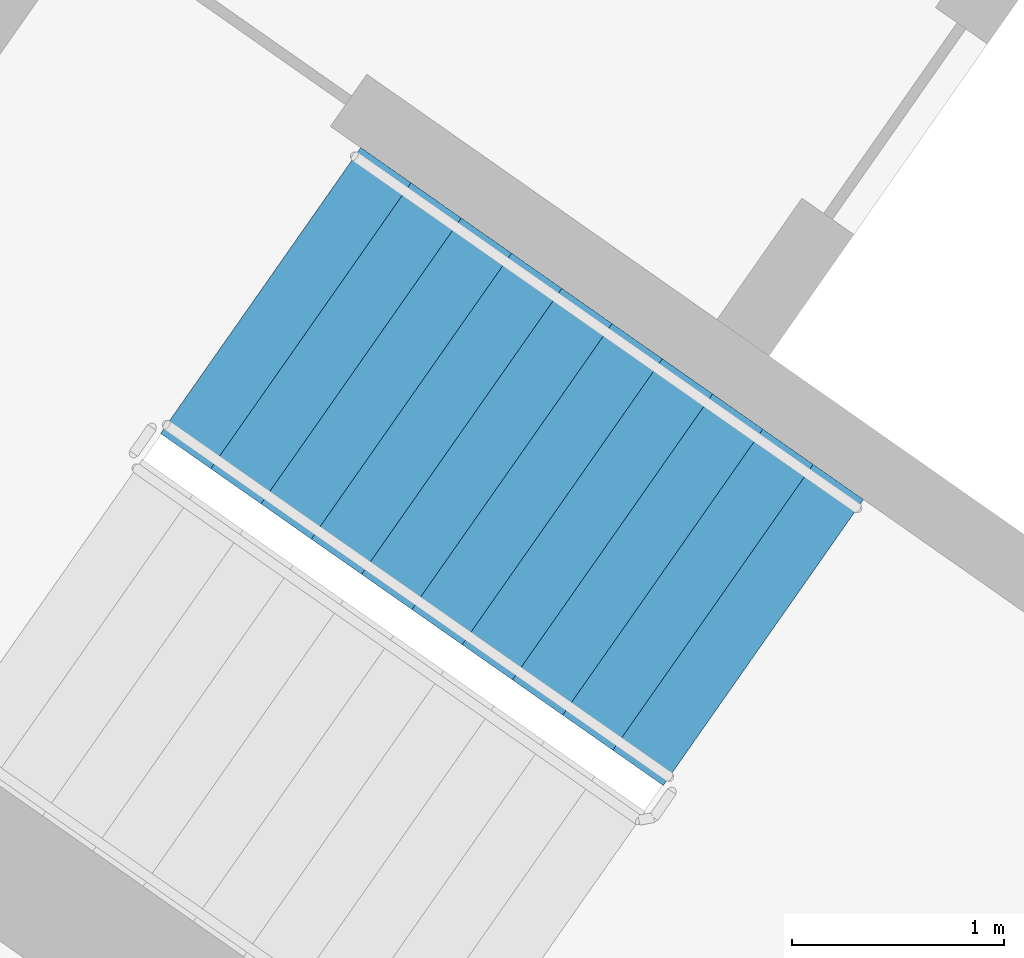
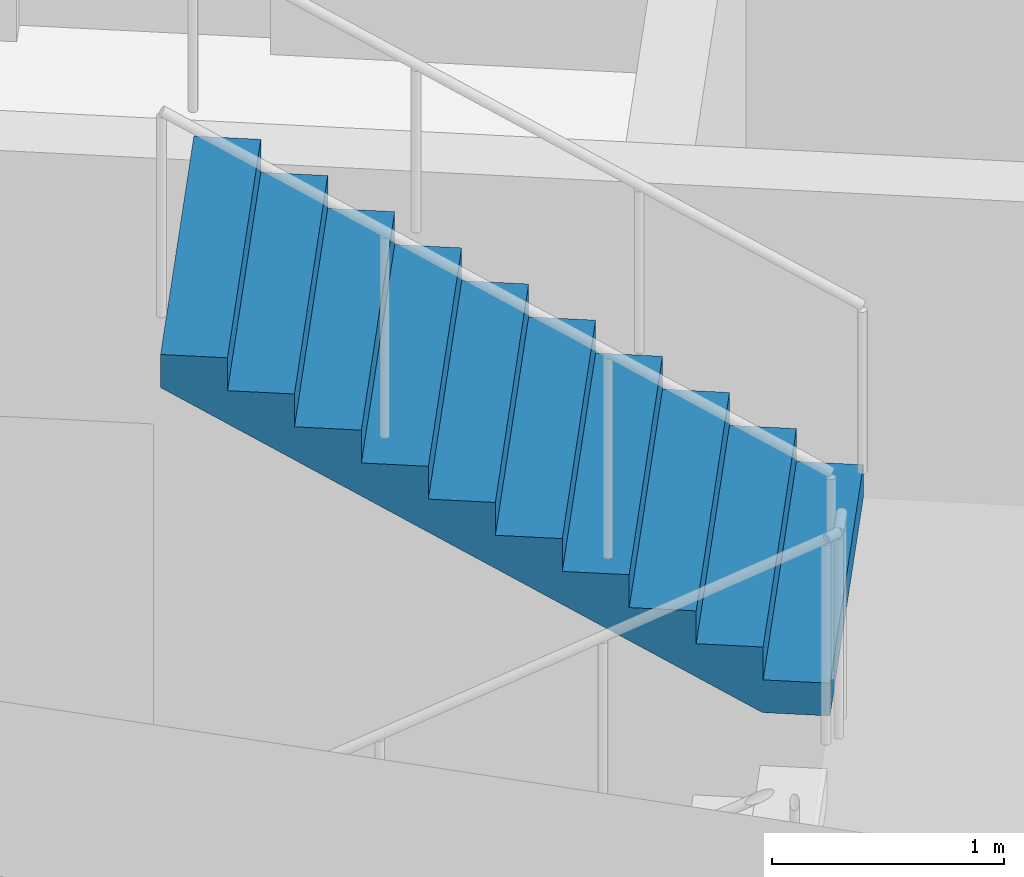
# One storey, part 9 of 30: 1 stair flight, 1 element without a shape of its own.
"""IFC4 building model written with IfcOpenShell, lengths in metres."""

from ifc_helpers import new_model, si_unit, direction, frame, origin, place, context, subcontext, project, spatial, faceted_brep, material, type_object, element, aggregate, save


model = new_model("IFC4")

# Units and contexts
model_context = context("Model", 3, precision=1e-05, world=origin(), true_north=direction((0.0, 1.0)))
body_context = subcontext(model_context, "Body", "Model", "MODEL_VIEW")
ifc_project = project(units=[si_unit("LENGTHUNIT", "METRE"), si_unit("AREAUNIT", "SQUARE_METRE"), si_unit("VOLUMEUNIT", "CUBIC_METRE"), si_unit("PLANEANGLEUNIT", "RADIAN"), si_unit("MASSUNIT", "GRAM", prefix="KILO")], contexts=[model_context])

# Site, building, storey
site_placement = place(None, origin())
site = spatial("IfcSite", under=ifc_project, at=site_placement, CompositionType="ELEMENT")
building_placement = place(site_placement, origin())
building = spatial("IfcBuilding", under=site, at=building_placement, Name="Qamariyya Broadcast Tower", CompositionType="ELEMENT")
storey_placement = place(building_placement, frame((0.0, 0.0, 203.699951171875)))
storey = spatial("IfcBuildingStorey", under=building, at=storey_placement, Name="L48", CompositionType="ELEMENT", Elevation=203.699951171875)

# Stair, stair flight
ifc_material = material(Name="Concrete C50/60", Category="concrete")
stair_type = type_object("IfcStairType", Name="Exit stair 22 risers of 173 mm", PredefinedType="HALF_TURN_STAIR", material=ifc_material)
stair_placement = place(storey_placement, origin())
stair = element("IfcStair", 1, at=stair_placement, inside=storey, type_object=stair_type, Name="L48 Stair W1", PredefinedType="HALF_TURN_STAIR")
stair_flight_type = type_object("IfcStairFlightType", Name="Exit stair flight 11 risers of 173 mm", PredefinedType="STRAIGHT", material=ifc_material)
stair_flight_placement = place(storey_placement, frame((-43.660888671875, -57.17138671875, 1.900146484375), z_axis=(0.0, 0.0, 1.0), x_axis=(-0.819152044289, 0.573576436351, 0.0)))
stair_flight = element("IfcStairFlight", 2, at=stair_flight_placement, type_object=stair_flight_type, Name="ST-W1 flight 2", NumberOfRisers=11, NumberOfTreads=10, PredefinedType="STRAIGHT", RiserHeight=0.172727273, TreadLength=0.29, context=body_context, shape_type="Brep", body=[
    faceted_brep([(0.0, 0.824951171875, 0.0), (0.0, 0.824951171875, 0.172607421875), (0.2900390625, 0.824951171875, 0.172607421875), (0.2900390625, 0.824951171875, 0.345458984375), (0.580078125, 0.824951171875, 0.345458984375), (0.580078125, 0.824951171875, 0.51806640625), (0.8701171875, 0.824951171875, 0.51806640625), (0.8701171875, 0.824951171875, 0.69091796875), (1.159912109375, 0.824951171875, 0.69091796875), (1.159912109375, 0.824951171875, 0.863525390625), (1.449951171875, 0.824951171875, 0.863525390625), (1.449951171875, 0.824951171875, 1.036376953125), (1.739990234375, 0.824951171875, 1.036376953125), (1.739990234375, 0.824951171875, 1.208984375), (2.030029296875, 0.824951171875, 1.208984375), (2.030029296875, 0.824951171875, 1.3818359375), (2.320068359375, 0.824951171875, 1.3818359375), (2.320068359375, 0.824951171875, 1.554443359375), (2.610107421875, 0.824951171875, 1.554443359375), (2.610107421875, 0.824951171875, 1.727294921875), (2.89990234375, 0.824951171875, 1.727294921875), (2.89990234375, 0.824951171875, 1.552734375), (0.29296875, 0.824951171875, 0.0), (0.29296875, -0.824951171875, 0.0), (2.89990234375, -0.824951171875, 1.552734375), (2.89990234375, -0.824951171875, 1.727294921875), (2.610107421875, -0.824951171875, 1.727294921875), (2.610107421875, -0.824951171875, 1.554443359375), (2.320068359375, -0.824951171875, 1.554443359375), (2.320068359375, -0.824951171875, 1.3818359375), (2.030029296875, -0.824951171875, 1.3818359375), (2.030029296875, -0.824951171875, 1.208984375), (1.739990234375, -0.824951171875, 1.208984375), (1.739990234375, -0.824951171875, 1.036376953125), (1.449951171875, -0.824951171875, 1.036376953125), (1.449951171875, -0.824951171875, 0.863525390625), (1.159912109375, -0.824951171875, 0.863525390625), (1.159912109375, -0.824951171875, 0.69091796875), (0.8701171875, -0.824951171875, 0.69091796875), (0.8701171875, -0.824951171875, 0.51806640625), (0.580078125, -0.824951171875, 0.51806640625), (0.580078125, -0.824951171875, 0.345458984375), (0.2900390625, -0.824951171875, 0.345458984375), (0.2900390625, -0.824951171875, 0.172607421875), (0.0, -0.824951171875, 0.172607421875), (0.0, -0.824951171875, 0.0), (0.0, 0.10009765625, 0.0), (0.0, 0.086669921875, 0.0), (0.0, 0.0732421875, 0.0), (0.0, 0.06005859375, 0.0), (0.0, 0.046630859375, 0.0), (0.0, 0.033447265625, 0.0), (0.0, 0.02001953125, 0.0), (0.0, 0.006591796875, 0.0), (0.0, -0.006591796875, 0.0), (0.0, -0.02001953125, 0.0), (0.0, -0.033447265625, 0.0), (0.0, -0.046630859375, 0.0), (0.0, -0.06005859375, 0.0), (0.0, -0.0732421875, 0.0), (0.0, -0.086669921875, 0.0), (0.0, -0.10009765625, 0.0), (0.0, -0.10009765625, 0.172607421875), (0.0, -0.086669921875, 0.172607421875), (0.0, -0.0732421875, 0.172607421875), (0.0, -0.06005859375, 0.172607421875), (0.0, -0.046630859375, 0.172607421875), (0.0, -0.033447265625, 0.172607421875), (0.0, -0.02001953125, 0.172607421875), (0.0, -0.006591796875, 0.172607421875), (0.0, 0.006591796875, 0.172607421875), (0.0, 0.02001953125, 0.172607421875), (0.0, 0.033447265625, 0.172607421875), (0.0, 0.046630859375, 0.172607421875), (0.0, 0.06005859375, 0.172607421875), (0.0, 0.0732421875, 0.172607421875), (0.0, 0.086669921875, 0.172607421875), (0.0, 0.10009765625, 0.172607421875), (0.2900390625, -0.10009765625, 0.172607421875), (0.2900390625, -0.086669921875, 0.172607421875), (0.2900390625, -0.0732421875, 0.172607421875), (0.2900390625, -0.06005859375, 0.172607421875), (0.2900390625, -0.046630859375, 0.172607421875), (0.2900390625, -0.033447265625, 0.172607421875), (0.2900390625, -0.02001953125, 0.172607421875), (0.2900390625, -0.006591796875, 0.172607421875), (0.2900390625, 0.006591796875, 0.172607421875), (0.2900390625, 0.02001953125, 0.172607421875), (0.2900390625, 0.033447265625, 0.172607421875), (0.2900390625, 0.046630859375, 0.172607421875), (0.2900390625, 0.06005859375, 0.172607421875), (0.2900390625, 0.0732421875, 0.172607421875), (0.2900390625, 0.086669921875, 0.172607421875), (0.2900390625, 0.10009765625, 0.172607421875), (0.2900390625, -0.10009765625, 0.345458984375), (0.2900390625, -0.086669921875, 0.345458984375), (0.2900390625, -0.0732421875, 0.345458984375), (0.2900390625, -0.06005859375, 0.345458984375), (0.2900390625, -0.046630859375, 0.345458984375), (0.2900390625, -0.033447265625, 0.345458984375), (0.2900390625, -0.02001953125, 0.345458984375), (0.2900390625, -0.006591796875, 0.345458984375), (0.2900390625, 0.006591796875, 0.345458984375), (0.2900390625, 0.02001953125, 0.345458984375), (0.2900390625, 0.033447265625, 0.345458984375), (0.2900390625, 0.046630859375, 0.345458984375), (0.2900390625, 0.06005859375, 0.345458984375), (0.2900390625, 0.0732421875, 0.345458984375), (0.2900390625, 0.086669921875, 0.345458984375), (0.2900390625, 0.10009765625, 0.345458984375), (0.580078125, -0.10009765625, 0.345458984375), (0.580078125, -0.086669921875, 0.345458984375), (0.580078125, -0.0732421875, 0.345458984375), (0.580078125, -0.06005859375, 0.345458984375), (0.580078125, -0.046630859375, 0.345458984375), (0.580078125, -0.033447265625, 0.345458984375), (0.580078125, -0.02001953125, 0.345458984375), (0.580078125, -0.006591796875, 0.345458984375), (0.580078125, 0.006591796875, 0.345458984375), (0.580078125, 0.02001953125, 0.345458984375), (0.580078125, 0.033447265625, 0.345458984375), (0.580078125, 0.046630859375, 0.345458984375), (0.580078125, 0.06005859375, 0.345458984375), (0.580078125, 0.0732421875, 0.345458984375), (0.580078125, 0.086669921875, 0.345458984375), (0.580078125, 0.10009765625, 0.345458984375), (0.580078125, -0.10009765625, 0.51806640625), (0.580078125, -0.086669921875, 0.51806640625), (0.580078125, -0.0732421875, 0.51806640625), (0.580078125, -0.06005859375, 0.51806640625), (0.580078125, -0.046630859375, 0.51806640625), (0.580078125, -0.033447265625, 0.51806640625), (0.580078125, -0.02001953125, 0.51806640625), (0.580078125, -0.006591796875, 0.51806640625), (0.580078125, 0.006591796875, 0.51806640625), (0.580078125, 0.02001953125, 0.51806640625), (0.580078125, 0.033447265625, 0.51806640625), (0.580078125, 0.046630859375, 0.51806640625), (0.580078125, 0.06005859375, 0.51806640625), (0.580078125, 0.0732421875, 0.51806640625), (0.580078125, 0.086669921875, 0.51806640625), (0.580078125, 0.10009765625, 0.51806640625), (0.8701171875, -0.10009765625, 0.51806640625), (0.8701171875, -0.086669921875, 0.51806640625), (0.8701171875, -0.0732421875, 0.51806640625), (0.8701171875, -0.06005859375, 0.51806640625), (0.8701171875, -0.046630859375, 0.51806640625), (0.8701171875, -0.033447265625, 0.51806640625), (0.8701171875, -0.02001953125, 0.51806640625), (0.8701171875, -0.006591796875, 0.51806640625), (0.8701171875, 0.006591796875, 0.51806640625), (0.8701171875, 0.02001953125, 0.51806640625), (0.8701171875, 0.033447265625, 0.51806640625), (0.8701171875, 0.046630859375, 0.51806640625), (0.8701171875, 0.06005859375, 0.51806640625), (0.8701171875, 0.0732421875, 0.51806640625), (0.8701171875, 0.086669921875, 0.51806640625), (0.8701171875, 0.10009765625, 0.51806640625), (0.8701171875, -0.10009765625, 0.69091796875), (0.8701171875, -0.086669921875, 0.69091796875), (0.8701171875, -0.0732421875, 0.69091796875), (0.8701171875, -0.06005859375, 0.69091796875), (0.8701171875, -0.046630859375, 0.69091796875), (0.8701171875, -0.033447265625, 0.69091796875), (0.8701171875, -0.02001953125, 0.69091796875), (0.8701171875, -0.006591796875, 0.69091796875), (0.8701171875, 0.006591796875, 0.69091796875), (0.8701171875, 0.02001953125, 0.69091796875), (0.8701171875, 0.033447265625, 0.69091796875), (0.8701171875, 0.046630859375, 0.69091796875), (0.8701171875, 0.06005859375, 0.69091796875), (0.8701171875, 0.0732421875, 0.69091796875), (0.8701171875, 0.086669921875, 0.69091796875), (0.8701171875, 0.10009765625, 0.69091796875), (1.159912109375, -0.10009765625, 0.69091796875), (1.159912109375, -0.086669921875, 0.69091796875), (1.159912109375, -0.0732421875, 0.69091796875), (1.159912109375, -0.06005859375, 0.69091796875), (1.159912109375, -0.046630859375, 0.69091796875), (1.159912109375, -0.033447265625, 0.69091796875), (1.159912109375, -0.02001953125, 0.69091796875), (1.159912109375, -0.006591796875, 0.69091796875), (1.159912109375, 0.006591796875, 0.69091796875), (1.159912109375, 0.02001953125, 0.69091796875), (1.159912109375, 0.033447265625, 0.69091796875), (1.159912109375, 0.046630859375, 0.69091796875), (1.159912109375, 0.06005859375, 0.69091796875), (1.159912109375, 0.0732421875, 0.69091796875), (1.159912109375, 0.086669921875, 0.69091796875), (1.159912109375, 0.10009765625, 0.69091796875), (1.159912109375, -0.10009765625, 0.863525390625), (1.159912109375, -0.086669921875, 0.863525390625), (1.159912109375, -0.0732421875, 0.863525390625), (1.159912109375, -0.06005859375, 0.863525390625), (1.159912109375, -0.046630859375, 0.863525390625), (1.159912109375, -0.033447265625, 0.863525390625), (1.159912109375, -0.02001953125, 0.863525390625), (1.159912109375, -0.006591796875, 0.863525390625), (1.159912109375, 0.006591796875, 0.863525390625), (1.159912109375, 0.02001953125, 0.863525390625), (1.159912109375, 0.033447265625, 0.863525390625), (1.159912109375, 0.046630859375, 0.863525390625), (1.159912109375, 0.06005859375, 0.863525390625), (1.159912109375, 0.0732421875, 0.863525390625), (1.159912109375, 0.086669921875, 0.863525390625), (1.159912109375, 0.10009765625, 0.863525390625), (1.449951171875, -0.10009765625, 0.863525390625), (1.449951171875, -0.086669921875, 0.863525390625), (1.449951171875, -0.0732421875, 0.863525390625), (1.449951171875, -0.06005859375, 0.863525390625), (1.449951171875, -0.046630859375, 0.863525390625), (1.449951171875, -0.033447265625, 0.863525390625), (1.449951171875, -0.02001953125, 0.863525390625), (1.449951171875, -0.006591796875, 0.863525390625), (1.449951171875, 0.006591796875, 0.863525390625), (1.449951171875, 0.02001953125, 0.863525390625), (1.449951171875, 0.033447265625, 0.863525390625), (1.449951171875, 0.046630859375, 0.863525390625), (1.449951171875, 0.06005859375, 0.863525390625), (1.449951171875, 0.0732421875, 0.863525390625), (1.449951171875, 0.086669921875, 0.863525390625), (1.449951171875, 0.10009765625, 0.863525390625), (1.449951171875, -0.10009765625, 1.036376953125), (1.449951171875, -0.086669921875, 1.036376953125), (1.449951171875, -0.0732421875, 1.036376953125), (1.449951171875, -0.06005859375, 1.036376953125), (1.449951171875, -0.046630859375, 1.036376953125), (1.449951171875, -0.033447265625, 1.036376953125), (1.449951171875, -0.02001953125, 1.036376953125), (1.449951171875, -0.006591796875, 1.036376953125), (1.449951171875, 0.006591796875, 1.036376953125), (1.449951171875, 0.02001953125, 1.036376953125), (1.449951171875, 0.033447265625, 1.036376953125), (1.449951171875, 0.046630859375, 1.036376953125), (1.449951171875, 0.06005859375, 1.036376953125), (1.449951171875, 0.0732421875, 1.036376953125), (1.449951171875, 0.086669921875, 1.036376953125), (1.449951171875, 0.10009765625, 1.036376953125), (1.739990234375, -0.10009765625, 1.036376953125), (1.739990234375, -0.086669921875, 1.036376953125), (1.739990234375, -0.0732421875, 1.036376953125), (1.739990234375, -0.06005859375, 1.036376953125), (1.739990234375, -0.046630859375, 1.036376953125), (1.739990234375, -0.033447265625, 1.036376953125), (1.739990234375, -0.02001953125, 1.036376953125), (1.739990234375, -0.006591796875, 1.036376953125), (1.739990234375, 0.006591796875, 1.036376953125), (1.739990234375, 0.02001953125, 1.036376953125), (1.739990234375, 0.033447265625, 1.036376953125), (1.739990234375, 0.046630859375, 1.036376953125), (1.739990234375, 0.06005859375, 1.036376953125), (1.739990234375, 0.0732421875, 1.036376953125), (1.739990234375, 0.086669921875, 1.036376953125), (1.739990234375, 0.10009765625, 1.036376953125), (1.739990234375, -0.10009765625, 1.208984375), (1.739990234375, -0.086669921875, 1.208984375), (1.739990234375, -0.0732421875, 1.208984375), (1.739990234375, -0.06005859375, 1.208984375), (1.739990234375, -0.046630859375, 1.208984375), (1.739990234375, -0.033447265625, 1.208984375), (1.739990234375, -0.02001953125, 1.208984375), (1.739990234375, -0.006591796875, 1.208984375), (1.739990234375, 0.006591796875, 1.208984375), (1.739990234375, 0.02001953125, 1.208984375), (1.739990234375, 0.033447265625, 1.208984375), (1.739990234375, 0.046630859375, 1.208984375), (1.739990234375, 0.06005859375, 1.208984375), (1.739990234375, 0.0732421875, 1.208984375), (1.739990234375, 0.086669921875, 1.208984375), (1.739990234375, 0.10009765625, 1.208984375), (2.030029296875, -0.10009765625, 1.208984375), (2.030029296875, -0.086669921875, 1.208984375), (2.030029296875, -0.0732421875, 1.208984375), (2.030029296875, -0.06005859375, 1.208984375), (2.030029296875, -0.046630859375, 1.208984375), (2.030029296875, -0.033447265625, 1.208984375), (2.030029296875, -0.02001953125, 1.208984375), (2.030029296875, -0.006591796875, 1.208984375), (2.030029296875, 0.006591796875, 1.208984375), (2.030029296875, 0.02001953125, 1.208984375), (2.030029296875, 0.033447265625, 1.208984375), (2.030029296875, 0.046630859375, 1.208984375), (2.030029296875, 0.06005859375, 1.208984375), (2.030029296875, 0.0732421875, 1.208984375), (2.030029296875, 0.086669921875, 1.208984375), (2.030029296875, 0.10009765625, 1.208984375), (2.030029296875, -0.10009765625, 1.3818359375), (2.030029296875, -0.086669921875, 1.3818359375), (2.030029296875, -0.0732421875, 1.3818359375), (2.030029296875, -0.06005859375, 1.3818359375), (2.030029296875, -0.046630859375, 1.3818359375), (2.030029296875, -0.033447265625, 1.3818359375), (2.030029296875, -0.02001953125, 1.3818359375), (2.030029296875, -0.006591796875, 1.3818359375), (2.030029296875, 0.006591796875, 1.3818359375), (2.030029296875, 0.02001953125, 1.3818359375), (2.030029296875, 0.033447265625, 1.3818359375), (2.030029296875, 0.046630859375, 1.3818359375), (2.030029296875, 0.06005859375, 1.3818359375), (2.030029296875, 0.0732421875, 1.3818359375), (2.030029296875, 0.086669921875, 1.3818359375), (2.030029296875, 0.10009765625, 1.3818359375), (2.320068359375, -0.10009765625, 1.3818359375), (2.320068359375, -0.086669921875, 1.3818359375), (2.320068359375, -0.0732421875, 1.3818359375), (2.320068359375, -0.06005859375, 1.3818359375), (2.320068359375, -0.046630859375, 1.3818359375), (2.320068359375, -0.033447265625, 1.3818359375), (2.320068359375, -0.02001953125, 1.3818359375), (2.320068359375, -0.006591796875, 1.3818359375), (2.320068359375, 0.006591796875, 1.3818359375), (2.320068359375, 0.02001953125, 1.3818359375), (2.320068359375, 0.033447265625, 1.3818359375), (2.320068359375, 0.046630859375, 1.3818359375), (2.320068359375, 0.06005859375, 1.3818359375), (2.320068359375, 0.0732421875, 1.3818359375), (2.320068359375, 0.086669921875, 1.3818359375), (2.320068359375, 0.10009765625, 1.3818359375), (2.320068359375, -0.10009765625, 1.554443359375), (2.320068359375, -0.086669921875, 1.554443359375), (2.320068359375, -0.0732421875, 1.554443359375), (2.320068359375, -0.06005859375, 1.554443359375), (2.320068359375, -0.046630859375, 1.554443359375), (2.320068359375, -0.033447265625, 1.554443359375), (2.320068359375, -0.02001953125, 1.554443359375), (2.320068359375, -0.006591796875, 1.554443359375), (2.320068359375, 0.006591796875, 1.554443359375), (2.320068359375, 0.02001953125, 1.554443359375), (2.320068359375, 0.033447265625, 1.554443359375), (2.320068359375, 0.046630859375, 1.554443359375), (2.320068359375, 0.06005859375, 1.554443359375), (2.320068359375, 0.0732421875, 1.554443359375), (2.320068359375, 0.086669921875, 1.554443359375), (2.320068359375, 0.10009765625, 1.554443359375), (2.610107421875, -0.10009765625, 1.554443359375), (2.610107421875, -0.086669921875, 1.554443359375), (2.610107421875, -0.0732421875, 1.554443359375), (2.610107421875, -0.06005859375, 1.554443359375), (2.610107421875, -0.046630859375, 1.554443359375), (2.610107421875, -0.033447265625, 1.554443359375), (2.610107421875, -0.02001953125, 1.554443359375), (2.610107421875, -0.006591796875, 1.554443359375), (2.610107421875, 0.006591796875, 1.554443359375), (2.610107421875, 0.02001953125, 1.554443359375), (2.610107421875, 0.033447265625, 1.554443359375), (2.610107421875, 0.046630859375, 1.554443359375), (2.610107421875, 0.06005859375, 1.554443359375), (2.610107421875, 0.0732421875, 1.554443359375), (2.610107421875, 0.086669921875, 1.554443359375), (2.610107421875, 0.10009765625, 1.554443359375), (2.610107421875, -0.10009765625, 1.727294921875), (2.610107421875, -0.086669921875, 1.727294921875), (2.610107421875, -0.0732421875, 1.727294921875), (2.610107421875, -0.06005859375, 1.727294921875), (2.610107421875, -0.046630859375, 1.727294921875), (2.610107421875, -0.033447265625, 1.727294921875), (2.610107421875, -0.02001953125, 1.727294921875), (2.610107421875, -0.006591796875, 1.727294921875), (2.610107421875, 0.006591796875, 1.727294921875), (2.610107421875, 0.02001953125, 1.727294921875), (2.610107421875, 0.033447265625, 1.727294921875), (2.610107421875, 0.046630859375, 1.727294921875), (2.610107421875, 0.06005859375, 1.727294921875), (2.610107421875, 0.0732421875, 1.727294921875), (2.610107421875, 0.086669921875, 1.727294921875), (2.610107421875, 0.10009765625, 1.727294921875), (2.89990234375, -0.10009765625, 1.727294921875), (2.89990234375, -0.086669921875, 1.727294921875), (2.89990234375, -0.0732421875, 1.727294921875), (2.89990234375, -0.06005859375, 1.727294921875), (2.89990234375, -0.046630859375, 1.727294921875), (2.89990234375, -0.033447265625, 1.727294921875), (2.89990234375, -0.02001953125, 1.727294921875), (2.89990234375, -0.006591796875, 1.727294921875), (2.89990234375, 0.006591796875, 1.727294921875), (2.89990234375, 0.02001953125, 1.727294921875), (2.89990234375, 0.033447265625, 1.727294921875), (2.89990234375, 0.046630859375, 1.727294921875), (2.89990234375, 0.06005859375, 1.727294921875), (2.89990234375, 0.0732421875, 1.727294921875), (2.89990234375, 0.086669921875, 1.727294921875), (2.89990234375, 0.10009765625, 1.727294921875), (2.89990234375, -0.10009765625, 1.552734375), (2.89990234375, -0.086669921875, 1.552734375), (2.89990234375, -0.0732421875, 1.552734375), (2.89990234375, -0.06005859375, 1.552734375), (2.89990234375, -0.046630859375, 1.552734375), (2.89990234375, -0.033447265625, 1.552734375), (2.89990234375, -0.02001953125, 1.552734375), (2.89990234375, -0.006591796875, 1.552734375), (2.89990234375, 0.006591796875, 1.552734375), (2.89990234375, 0.02001953125, 1.552734375), (2.89990234375, 0.033447265625, 1.552734375), (2.89990234375, 0.046630859375, 1.552734375), (2.89990234375, 0.06005859375, 1.552734375), (2.89990234375, 0.0732421875, 1.552734375), (2.89990234375, 0.086669921875, 1.552734375), (2.89990234375, 0.10009765625, 1.552734375), (0.29296875, -0.10009765625, 0.0), (0.29296875, -0.086669921875, 0.0), (0.29296875, -0.0732421875, 0.0), (0.29296875, -0.06005859375, 0.0), (0.29296875, -0.046630859375, 0.0), (0.29296875, -0.033447265625, 0.0), (0.29296875, -0.02001953125, 0.0), (0.29296875, -0.006591796875, 0.0), (0.29296875, 0.006591796875, 0.0), (0.29296875, 0.02001953125, 0.0), (0.29296875, 0.033447265625, 0.0), (0.29296875, 0.046630859375, 0.0), (0.29296875, 0.06005859375, 0.0), (0.29296875, 0.0732421875, 0.0), (0.29296875, 0.086669921875, 0.0), (0.29296875, 0.10009765625, 0.0)], [[[0, 1, 2, 3, 4, 5, 6, 7, 8, 9, 10, 11, 12, 13, 14, 15, 16, 17, 18, 19, 20, 21, 22]], [[23, 24, 25, 26, 27, 28, 29, 30, 31, 32, 33, 34, 35, 36, 37, 38, 39, 40, 41, 42, 43, 44, 45]], [[0, 46, 47, 48, 49, 50, 51, 52, 53, 54, 55, 56, 57, 58, 59, 60, 61, 45, 44, 62, 63, 64, 65, 66, 67, 68, 69, 70, 71, 72, 73, 74, 75, 76, 77, 1]], [[1, 77, 76, 75, 74, 73, 72, 71, 70, 69, 68, 67, 66, 65, 64, 63, 62, 44, 43, 78, 79, 80, 81, 82, 83, 84, 85, 86, 87, 88, 89, 90, 91, 92, 93, 2]], [[2, 93, 92, 91, 90, 89, 88, 87, 86, 85, 84, 83, 82, 81, 80, 79, 78, 43, 42, 94, 95, 96, 97, 98, 99, 100, 101, 102, 103, 104, 105, 106, 107, 108, 109, 3]], [[3, 109, 108, 107, 106, 105, 104, 103, 102, 101, 100, 99, 98, 97, 96, 95, 94, 42, 41, 110, 111, 112, 113, 114, 115, 116, 117, 118, 119, 120, 121, 122, 123, 124, 125, 4]], [[4, 125, 124, 123, 122, 121, 120, 119, 118, 117, 116, 115, 114, 113, 112, 111, 110, 41, 40, 126, 127, 128, 129, 130, 131, 132, 133, 134, 135, 136, 137, 138, 139, 140, 141, 5]], [[5, 141, 140, 139, 138, 137, 136, 135, 134, 133, 132, 131, 130, 129, 128, 127, 126, 40, 39, 142, 143, 144, 145, 146, 147, 148, 149, 150, 151, 152, 153, 154, 155, 156, 157, 6]], [[6, 157, 156, 155, 154, 153, 152, 151, 150, 149, 148, 147, 146, 145, 144, 143, 142, 39, 38, 158, 159, 160, 161, 162, 163, 164, 165, 166, 167, 168, 169, 170, 171, 172, 173, 7]], [[7, 173, 172, 171, 170, 169, 168, 167, 166, 165, 164, 163, 162, 161, 160, 159, 158, 38, 37, 174, 175, 176, 177, 178, 179, 180, 181, 182, 183, 184, 185, 186, 187, 188, 189, 8]], [[8, 189, 188, 187, 186, 185, 184, 183, 182, 181, 180, 179, 178, 177, 176, 175, 174, 37, 36, 190, 191, 192, 193, 194, 195, 196, 197, 198, 199, 200, 201, 202, 203, 204, 205, 9]], [[9, 205, 204, 203, 202, 201, 200, 199, 198, 197, 196, 195, 194, 193, 192, 191, 190, 36, 35, 206, 207, 208, 209, 210, 211, 212, 213, 214, 215, 216, 217, 218, 219, 220, 221, 10]], [[10, 221, 220, 219, 218, 217, 216, 215, 214, 213, 212, 211, 210, 209, 208, 207, 206, 35, 34, 222, 223, 224, 225, 226, 227, 228, 229, 230, 231, 232, 233, 234, 235, 236, 237, 11]], [[11, 237, 236, 235, 234, 233, 232, 231, 230, 229, 228, 227, 226, 225, 224, 223, 222, 34, 33, 238, 239, 240, 241, 242, 243, 244, 245, 246, 247, 248, 249, 250, 251, 252, 253, 12]], [[12, 253, 252, 251, 250, 249, 248, 247, 246, 245, 244, 243, 242, 241, 240, 239, 238, 33, 32, 254, 255, 256, 257, 258, 259, 260, 261, 262, 263, 264, 265, 266, 267, 268, 269, 13]], [[13, 269, 268, 267, 266, 265, 264, 263, 262, 261, 260, 259, 258, 257, 256, 255, 254, 32, 31, 270, 271, 272, 273, 274, 275, 276, 277, 278, 279, 280, 281, 282, 283, 284, 285, 14]], [[14, 285, 284, 283, 282, 281, 280, 279, 278, 277, 276, 275, 274, 273, 272, 271, 270, 31, 30, 286, 287, 288, 289, 290, 291, 292, 293, 294, 295, 296, 297, 298, 299, 300, 301, 15]], [[15, 301, 300, 299, 298, 297, 296, 295, 294, 293, 292, 291, 290, 289, 288, 287, 286, 30, 29, 302, 303, 304, 305, 306, 307, 308, 309, 310, 311, 312, 313, 314, 315, 316, 317, 16]], [[16, 317, 316, 315, 314, 313, 312, 311, 310, 309, 308, 307, 306, 305, 304, 303, 302, 29, 28, 318, 319, 320, 321, 322, 323, 324, 325, 326, 327, 328, 329, 330, 331, 332, 333, 17]], [[17, 333, 332, 331, 330, 329, 328, 327, 326, 325, 324, 323, 322, 321, 320, 319, 318, 28, 27, 334, 335, 336, 337, 338, 339, 340, 341, 342, 343, 344, 345, 346, 347, 348, 349, 18]], [[18, 349, 348, 347, 346, 345, 344, 343, 342, 341, 340, 339, 338, 337, 336, 335, 334, 27, 26, 350, 351, 352, 353, 354, 355, 356, 357, 358, 359, 360, 361, 362, 363, 364, 365, 19]], [[19, 365, 364, 363, 362, 361, 360, 359, 358, 357, 356, 355, 354, 353, 352, 351, 350, 26, 25, 366, 367, 368, 369, 370, 371, 372, 373, 374, 375, 376, 377, 378, 379, 380, 381, 20]], [[20, 381, 380, 379, 378, 377, 376, 375, 374, 373, 372, 371, 370, 369, 368, 367, 366, 25, 24, 382, 383, 384, 385, 386, 387, 388, 389, 390, 391, 392, 393, 394, 395, 396, 397, 21]], [[21, 397, 396, 395, 394, 393, 392, 391, 390, 389, 388, 387, 386, 385, 384, 383, 382, 24, 23, 398, 399, 400, 401, 402, 403, 404, 405, 406, 407, 408, 409, 410, 411, 412, 413, 22]], [[22, 413, 412, 411, 410, 409, 408, 407, 406, 405, 404, 403, 402, 401, 400, 399, 398, 23, 45, 61, 60, 59, 58, 57, 56, 55, 54, 53, 52, 51, 50, 49, 48, 47, 46, 0]]]),
])
aggregate(stair, [stair_flight])

save(model, "model.ifc")
